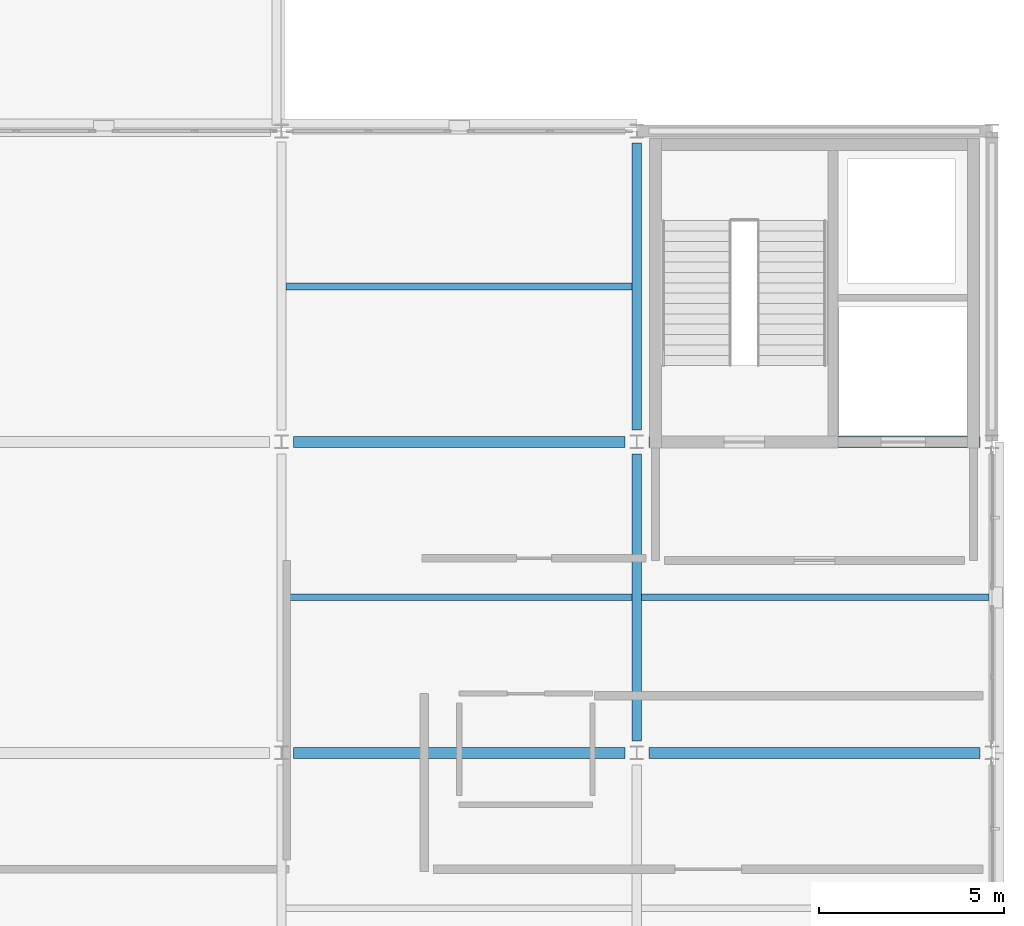
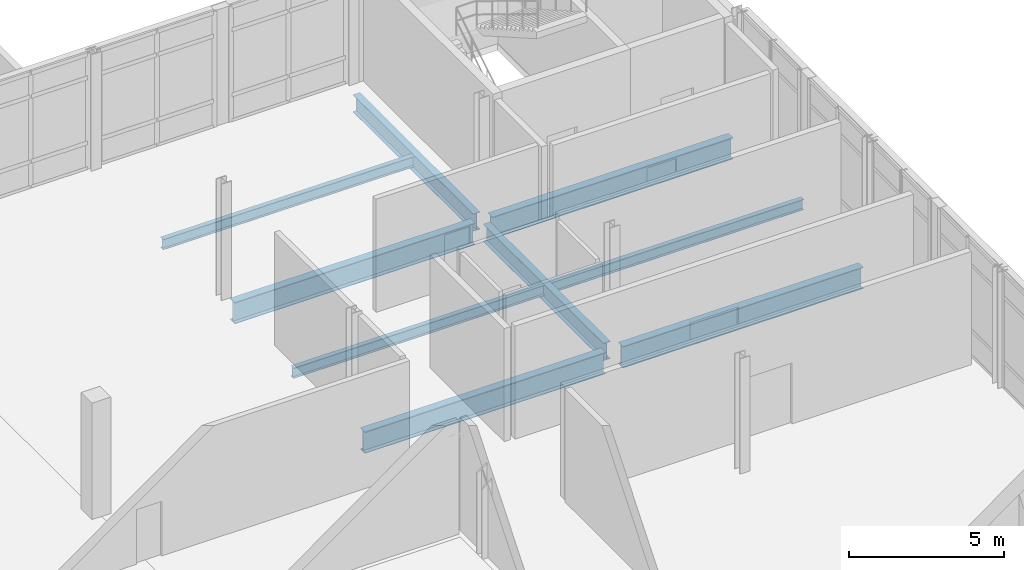
# One storey, part 27 of 52: 9 beams.
"""IFC4 building model written with IfcOpenShell, lengths in metres."""

from ifc_helpers import new_model, si_unit, direction, frame, origin, origin_2d, place, context, subcontext, project, spatial, i_section, extrude, material, material_profile, profile_set, type_object, element, save


model = new_model("IFC4")

# Units and contexts
model_context = context("Model", 3, precision=1e-05, world=origin(), true_north=direction((0.0, 1.0)))
body_context = subcontext(model_context, "Body", "Model", "MODEL_VIEW")
ifc_project = project(units=[si_unit("LENGTHUNIT", "METRE"), si_unit("AREAUNIT", "SQUARE_METRE"), si_unit("VOLUMEUNIT", "CUBIC_METRE"), si_unit("PLANEANGLEUNIT", "RADIAN"), si_unit("MASSUNIT", "GRAM", prefix="KILO")], contexts=[model_context])

# Site, building, storey
site_placement = place(None, origin())
site = spatial("IfcSite", under=ifc_project, at=site_placement, CompositionType="ELEMENT")
building_placement = place(site_placement, origin())
building = spatial("IfcBuilding", under=site, at=building_placement, Name="Lornevale Opera House", CompositionType="ELEMENT")
storey_placement = place(building_placement, frame((0.0, 0.0, 15.0)))
storey = spatial("IfcBuildingStorey", under=building, at=storey_placement, Name="L04", CompositionType="ELEMENT", Elevation=15.0)

# Beams
ifc_material = material(Name="Structural Steel CSA G40.21 Grade 350W (350 MPa)", Category="steel")
ifc_material_profile_1 = material_profile(ifc_material, i_section(OverallWidth=0.299072265625, OverallDepth=0.845947265625, WebThickness=0.015380859375, FlangeThickness=0.0244140625, at=origin_2d()), Name="W840x210")
ifc_profile_set_1 = profile_set([ifc_material_profile_1], Name="Structural Steel CSA G40.21 Grade 350W (350 MPa)")
beam_type_1 = type_object("IfcBeamType", Name="Steel Clear-Span Girder W840x210", PredefinedType="USERDEFINED", material=ifc_profile_set_1)
for number, where, z_axis, x_axis, name in (
    (1, (125.125, 58.800048828125, -0.697998046875), (1.0, 0.0, 0.0), (0.0, 1.0, 0.0), "Steel Clear-Span Girder W840x210 2516"),
    (2, (134.72509765625, 58.800048828125, -0.697998046875), (1.0, 0.0, 0.0), (0.0, 1.0, 0.0), "Steel Clear-Span Girder W840x210 2517"),
    (3, (125.125, 67.199951171875, -0.697998046875), (1.0, 0.0, 0.0), (0.0, 1.0, 0.0), "Steel Clear-Span Girder W840x210 2529"),
    (4, (134.72509765625, 67.199951171875, -0.697998046875), (1.0, 0.0, 0.0), (0.0, 1.0, 0.0), "Steel Clear-Span Girder W840x210 2530"),
):
    element("IfcBeam", number, at=place(storey_placement, frame(where, z_axis=z_axis, x_axis=x_axis)), inside=storey, type_object=beam_type_1, Name=name, ObjectType="GIRDER", PredefinedType="USERDEFINED", context=body_context, shape_type="SweptSolid", body=[
        extrude(i_section(OverallWidth=0.299072265625, OverallDepth=0.845947265625, WebThickness=0.015380859375, FlangeThickness=0.0244140625, at=origin_2d()), origin(), (0.0, 0.0, 1.0), 8.949951171875),
    ])
ifc_material_profile_2 = material_profile(ifc_material, i_section(OverallWidth=0.179931640625, OverallDepth=0.4130859375, WebThickness=0.009765625, FlangeThickness=0.01611328125, at=origin_2d()), Name="W410x74")
ifc_profile_set_2 = profile_set([ifc_material_profile_2], Name="Structural Steel CSA G40.21 Grade 350W (350 MPa)")
beam_type_2 = type_object("IfcBeamType", Name="Steel Floor Joist W410x74", PredefinedType="JOIST", material=ifc_profile_set_2)
for number, where, z_axis, x_axis, name in (
    (5, (124.927001953125, 63.0, -0.4814453125), (1.0, 0.0, 0.0), (0.0, 1.0, 0.0), "Steel Floor Joist W410x74 2705"),
    (6, (124.927001953125, 71.39990234375, -0.511474609375), (1.0, 0.0, 0.0), (0.0, 1.0, 0.0), "Steel Floor Joist W410x74 2706"),
):
    element("IfcBeam", number, at=place(storey_placement, frame(where, z_axis=z_axis, x_axis=x_axis)), inside=storey, type_object=beam_type_2, Name=name, PredefinedType="JOIST", context=body_context, shape_type="SweptSolid", body=[
        extrude(i_section(OverallWidth=0.179931640625, OverallDepth=0.4130859375, WebThickness=0.009765625, FlangeThickness=0.01611328125, at=origin_2d()), origin(), (0.0, 0.0, 1.0), 9.345947265625),
    ])
beam_placement = place(storey_placement, frame((134.527099609375, 63.0, -0.4814453125), z_axis=(1.0, 0.0, 0.0), x_axis=(0.0, 1.0, 0.0)))
element("IfcBeam", 7, at=beam_placement, inside=storey, type_object=beam_type_2, Name="Steel Floor Joist W410x74 2711", PredefinedType="JOIST", context=body_context, shape_type="SweptSolid", body=[
    extrude(i_section(OverallWidth=0.179931640625, OverallDepth=0.4130859375, WebThickness=0.009765625, FlangeThickness=0.01611328125, at=origin_2d()), origin(), (0.0, 0.0, 1.0), 9.389404296875),
])
ifc_material_profile_3 = material_profile(ifc_material, i_section(OverallWidth=0.25390625, OverallDepth=0.68798828125, WebThickness=0.01318359375, FlangeThickness=0.02099609375, at=origin_2d()), Name="W690x152")
ifc_profile_set_3 = profile_set([ifc_material_profile_3], Name="Structural Steel CSA G40.21 Grade 350W (350 MPa)")
beam_type_3 = type_object("IfcBeamType", Name="Steel Foyer Beam W690x152", PredefinedType="USERDEFINED", material=ifc_profile_set_3)
for number, where, z_axis, x_axis, name in (
    (8, (134.39990234375, 59.125, -0.618896484375), (0.0, 1.0, 0.0), (-1.0, 0.0, 0.0), "Steel Foyer Beam W690x152 2644"),
    (9, (134.39990234375, 67.52490234375, -0.618896484375), (0.0, 1.0, 0.0), (-1.0, 0.0, 0.0), "Steel Foyer Beam W690x152 2645"),
):
    element("IfcBeam", number, at=place(storey_placement, frame(where, z_axis=z_axis, x_axis=x_axis)), inside=storey, type_object=beam_type_3, Name=name, ObjectType="GIRDER", PredefinedType="USERDEFINED", context=body_context, shape_type="SweptSolid", body=[
        extrude(i_section(OverallWidth=0.25390625, OverallDepth=0.68798828125, WebThickness=0.01318359375, FlangeThickness=0.02099609375, at=origin_2d()), origin(), (0.0, 0.0, 1.0), 7.75),
    ])

save(model, "model.ifc")
